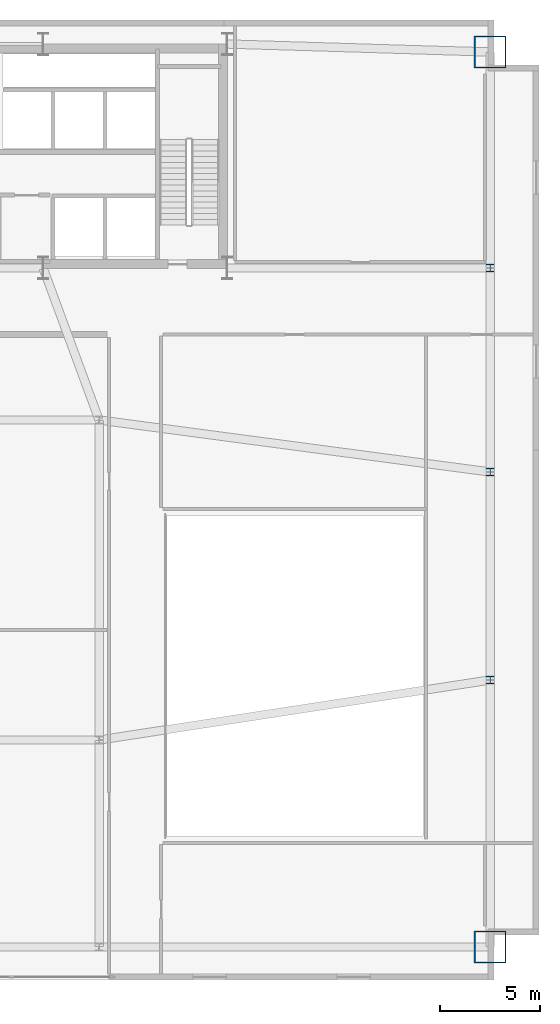
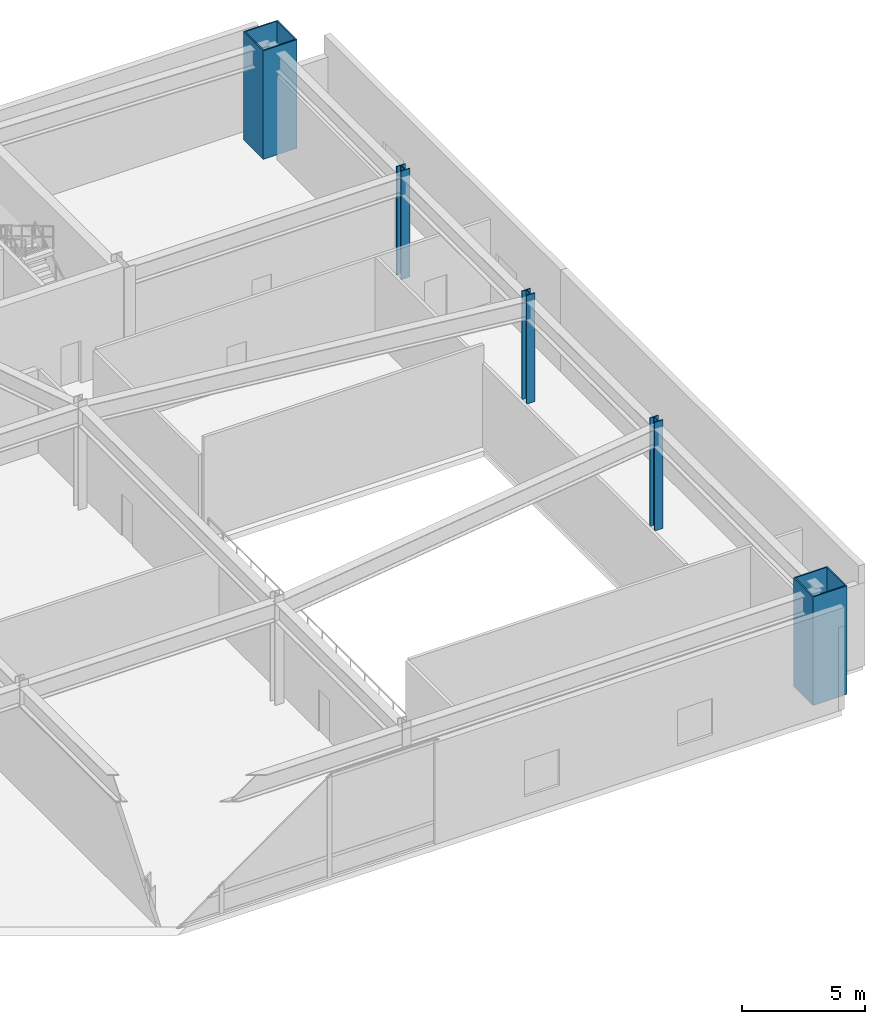
# One storey, part 2 of 13: 5 columns.
"""IFC4 building model written with IfcOpenShell, lengths in metres."""

from ifc_helpers import new_model, si_unit, direction, frame, origin, origin_2d, place, context, subcontext, project, spatial, hollow_rectangle, i_section, extrude, source, transform, mapped, material, material_profile, profile_set, type_object, type_shapes, element, save


model = new_model("IFC4")

# Units and contexts
model_context = context("Model", 3, precision=1e-05, world=origin(), true_north=direction((0.0, 1.0)))
body_context = subcontext(model_context, "Body", "Model", "MODEL_VIEW")
ifc_project = project(units=[si_unit("LENGTHUNIT", "METRE"), si_unit("AREAUNIT", "SQUARE_METRE"), si_unit("VOLUMEUNIT", "CUBIC_METRE"), si_unit("PLANEANGLEUNIT", "RADIAN"), si_unit("MASSUNIT", "GRAM", prefix="KILO")], contexts=[model_context])

# Site, building, storey
site_placement = place(None, origin())
site = spatial("IfcSite", under=ifc_project, at=site_placement, CompositionType="ELEMENT")
building_placement = place(site_placement, origin())
building = spatial("IfcBuilding", under=site, at=building_placement, Name="Varnel Quay Broadcast Tower", CompositionType="ELEMENT")
storey_placement = place(building_placement, frame((0.0, 0.0, 16.800048828125)))
storey = spatial("IfcBuildingStorey", under=building, at=storey_placement, Name="L03", CompositionType="ELEMENT", Elevation=16.800048828125)

# Columns
ifc_material_1 = material(Name="Structural Steel CSA G40.21 350WT", Category="steel")
ifc_material_profile_1 = material_profile(ifc_material_1, hollow_rectangle(XDim=1.60009765625, YDim=1.60009765625, WallThickness=0.06005859375, at=origin_2d()), Name="BOX1600X1600X60")
ifc_profile_set_1 = profile_set([ifc_material_profile_1], Name="Structural Steel CSA G40.21 350WT")
column_type_1 = type_object("IfcColumnType", Name="Col_BOX1600X1600X60", PredefinedType="COLUMN", material=ifc_profile_set_1)
shared_shape_1 = source(origin(), body_context, "Body", "SweptSolid", [
    extrude(hollow_rectangle(XDim=1.60009765625, YDim=1.60009765625, WallThickness=0.06005859375, at=origin_2d()), origin(), (0.0, 0.0, 1.0), 5.39990234375),
])
type_shapes(column_type_1, [shared_shape_1])
for number, where, z_axis, x_axis, name in (
    (1, (65.550048828125, 1.64990234375, 0.0), (0.0, 0.0, 1.0), (1.0, 0.0, 0.0), "L03 Column MC-SE"),
    (2, (65.550048828125, 46.39990234375, 0.0), (0.0, 0.0, 1.0), (1.0, 0.0, 0.0), "L03 Column MC-NE"),
):
    element("IfcColumn", number, at=place(storey_placement, frame(where, z_axis=z_axis, x_axis=x_axis)), inside=storey, type_object=column_type_1, Name=name, PredefinedType="COLUMN", context=body_context, shape_type="MappedRepresentation", body=[
        mapped(shared_shape_1, transform((0.0, 0.0, 0.0), x_axis=(1.0, 0.0, 0.0), y_axis=(0.0, 1.0, 0.0), z_axis=(0.0, 0.0, 1.0), scale=1.0)),
    ])
ifc_material_2 = material(Name="Structural Steel CSA G40.21 350W", Category="steel")
ifc_material_profile_2 = material_profile(ifc_material_2, i_section(OverallWidth=0.404052734375, OverallDepth=0.406982421875, WebThickness=0.027099609375, FlangeThickness=0.043701171875, FilletRadius=0.01806640625, at=origin_2d()), Name="W360X347")
ifc_profile_set_2 = profile_set([ifc_material_profile_2], Name="Structural Steel CSA G40.21 350W")
column_type_2 = type_object("IfcColumnType", Name="Col_W360X347", PredefinedType="COLUMN", material=ifc_profile_set_2)
shared_shape_2 = source(origin(), body_context, "Body", "SweptSolid", [
    extrude(i_section(OverallWidth=0.404052734375, OverallDepth=0.406982421875, WebThickness=0.027099609375, FlangeThickness=0.043701171875, FilletRadius=0.01806640625, at=origin_2d()), origin(), (0.0, 0.0, 1.0), 5.39990234375),
])
type_shapes(column_type_2, [shared_shape_2])
for number, where, z_axis, x_axis, name in (
    (3, (65.550048828125, 15.0, 0.0), (0.0, 0.0, 1.0), (1.0, 0.0, 0.0), "L03 Column PC-12"),
    (4, (65.550048828125, 25.39990234375, 0.0), (0.0, 0.0, 1.0), (1.0, 0.0, 0.0), "L03 Column PC-13"),
    (5, (65.550048828125, 35.60009765625, 0.0), (0.0, 0.0, 1.0), (1.0, 0.0, 0.0), "L03 Column PC-14"),
):
    element("IfcColumn", number, at=place(storey_placement, frame(where, z_axis=z_axis, x_axis=x_axis)), inside=storey, type_object=column_type_2, Name=name, PredefinedType="COLUMN", context=body_context, shape_type="MappedRepresentation", body=[
        mapped(shared_shape_2, transform((0.0, 0.0, 0.0), x_axis=(1.0, 0.0, 0.0), y_axis=(0.0, 1.0, 0.0), z_axis=(0.0, 0.0, 1.0), scale=1.0)),
    ])

save(model, "model.ifc")
